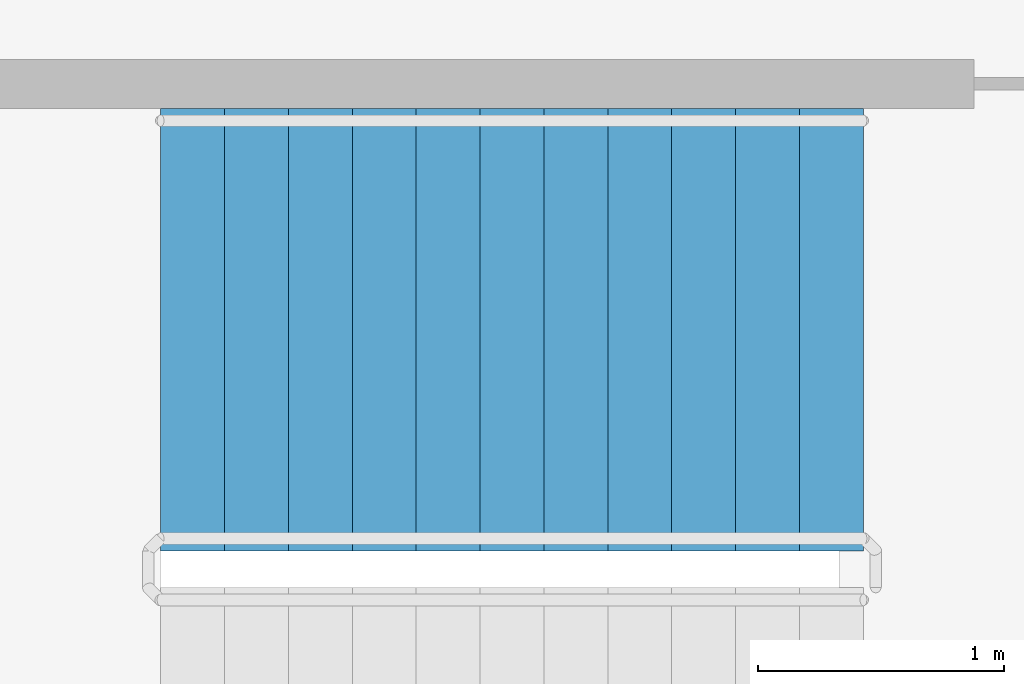
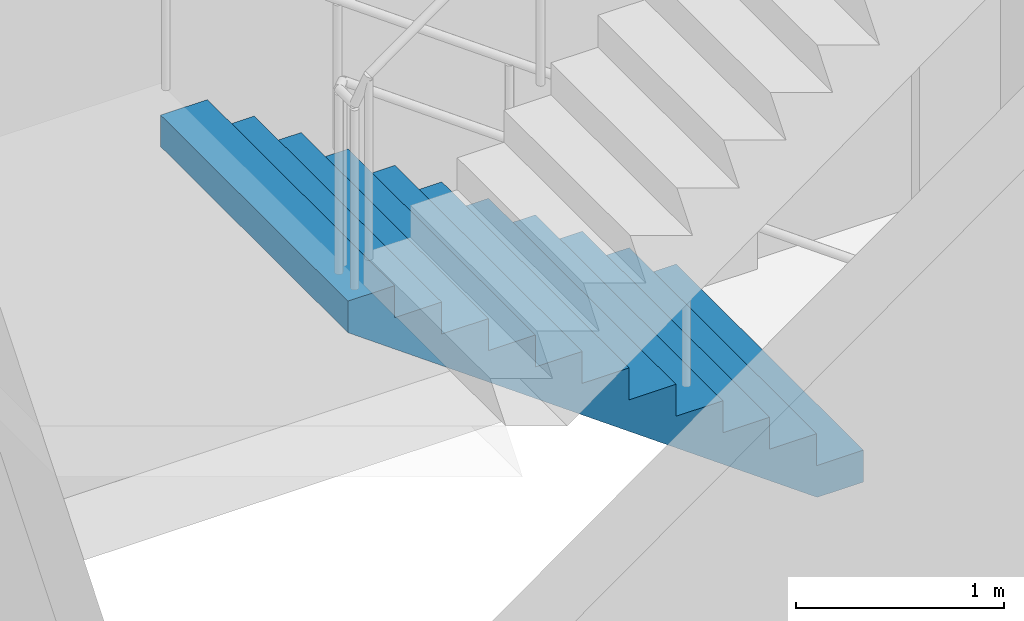
# One storey, part 40 of 49: 1 stair flight, 1 element without a shape of its own.
"""IFC4 building model written with IfcOpenShell, lengths in metres."""

import ifcopenshell
import ifcopenshell.guid

model = None  # the IFC model being written
_history = None  # IfcOwnerHistory: only IFC2X3 demands one
_inside = {}  # id of a spatial element -> (the spatial element, [elements in it])
_under = {}  # id of a project, library or spatial element -> (it, [spatial elements below it])
_declared = {}  # id of a project -> (the project, [libraries it declares])
_typed = {}  # id of a type object -> (the type object, [elements of that type])
_made_of = {}  # id of a material, layer set ... -> (it, [elements and type objects made of it])


def new_model(schema):
    """Start an empty IFC model of exactly this schema.

    Asked for "IFC4X3", IfcOpenShell would pick the latest addendum, in which some entities
    have other attributes; the version numbers below select the first issue.
    IFC2X3 requires an IfcOwnerHistory on every rooted entity: one is made here for all.
    """
    global model, _history
    if schema == "IFC4X3":
        model = ifcopenshell.file(schema_version=(4, 3, 0, 0))
    else:
        model = ifcopenshell.file(schema=schema)
    _inside.clear()
    _under.clear()
    _declared.clear()
    _typed.clear()
    _made_of.clear()
    _history = None
    if model.schema == "IFC2X3":
        org = make("IfcOrganization", Name="unknown")
        user = make(
            "IfcPersonAndOrganization",
            ThePerson=make("IfcPerson", FamilyName="unknown"),
            TheOrganization=org,
        )
        app = make(
            "IfcApplication",
            ApplicationDeveloper=org,
            Version="unknown",
            ApplicationFullName="unknown",
            ApplicationIdentifier="unknown",
        )
        _history = make(
            "IfcOwnerHistory",
            OwningUser=user,
            OwningApplication=app,
            ChangeAction="ADDED",
            CreationDate=0,
        )
    return model


def make(cls, **values):
    """One entity of the class cls with the attributes given. An attribute that is None is left unset."""
    return model.create_entity(
        cls, **{name: value for name, value in values.items() if value is not None}
    )


def rooted(cls, **values):
    """An entity with a GlobalId (a new one), such as an element, a storey or a relation."""
    return make(cls, GlobalId=ifcopenshell.guid.new(), OwnerHistory=_history, **values)


def si_unit(unit_type, name, prefix=None):
    """IfcSIUnit, for example si_unit("LENGTHUNIT", "METRE", prefix="MILLI")."""
    return make("IfcSIUnit", UnitType=unit_type, Prefix=prefix, Name=name)


def assignment(units):
    """IfcUnitAssignment: the units of a project."""
    return None if units is None else make("IfcUnitAssignment", Units=units)


def point(xyz):
    """IfcCartesianPoint."""
    return None if xyz is None else make("IfcCartesianPoint", Coordinates=xyz)


def direction(xyz):
    """IfcDirection."""
    return None if xyz is None else make("IfcDirection", DirectionRatios=xyz)


def frame(location, z_axis=None, x_axis=None):
    """IfcAxis2Placement3D, a coordinate frame: its origin and axes. An axis left out is left unset."""
    return make(
        "IfcAxis2Placement3D",
        Location=point(location),
        Axis=direction(z_axis),
        RefDirection=direction(x_axis),
    )


def origin():
    """The frame at (0, 0, 0) with its axes left unset."""
    return frame((0.0, 0.0, 0.0))


def place(relative_to, where):
    """IfcLocalPlacement: puts the frame where relative to a parent placement (None: the world)."""
    return make(
        "IfcLocalPlacement", PlacementRelTo=relative_to, RelativePlacement=where
    )


def context(
    kind, dimensions, precision=None, world=None, true_north=None, identifier=None
):
    """IfcGeometricRepresentationContext, for example the 3D "Model" context."""
    return make(
        "IfcGeometricRepresentationContext",
        ContextIdentifier=identifier,
        ContextType=kind,
        CoordinateSpaceDimension=dimensions,
        Precision=precision,
        WorldCoordinateSystem=world,
        TrueNorth=true_north,
    )


def subcontext(parent, identifier, kind, view, scale=None):
    """IfcGeometricRepresentationSubContext, for example "Body" below "Model"."""
    return make(
        "IfcGeometricRepresentationSubContext",
        ContextIdentifier=identifier,
        ContextType=kind,
        ParentContext=parent,
        TargetScale=scale,
        TargetView=view,
    )


def project(units=None, contexts=None):
    """IfcProject with its units and contexts."""
    return rooted(
        "IfcProject",
        Name="project",
        RepresentationContexts=contexts,
        UnitsInContext=assignment(units),
    )


def spatial(cls, under=None, at=None, **own):
    """A site, building, storey or space (cls), placed at a placement, below another one or the project."""
    s = rooted(cls, ObjectPlacement=at, **own)
    if under is not None:
        _under.setdefault(under.id(), (under, []))[1].append(s)
    return s


def faces_of(points, faces, orient=None, outer=None):
    """IfcFace entities. A face is a list of loops; a loop is a list of indices into points, from 0.

    orient and outer hold one flag for each loop. By default every Orientation is true, the
    first loop of a face is its IfcFaceOuterBound and the others are IfcFaceBound.
    """
    made = []
    for i, loops in enumerate(faces):
        bounds = []
        for j, loop in enumerate(loops):
            is_outer = j == 0 if outer is None else outer[i][j]
            bounds.append(
                make(
                    "IfcFaceOuterBound" if is_outer else "IfcFaceBound",
                    Bound=make("IfcPolyLoop", Polygon=[points[k] for k in loop]),
                    Orientation=True if orient is None else orient[i][j],
                )
            )
        made.append(make("IfcFace", Bounds=bounds))
    return made


def faceted_brep(points, faces, orient=None, outer=None, voids=None):
    """IfcFacetedBrep: a solid bounded by flat faces; with voids (closed shells), ...WithVoids."""
    shared = [point(p) for p in points]
    hull = make("IfcClosedShell", CfsFaces=faces_of(shared, faces, orient, outer))
    if voids is None:
        return make("IfcFacetedBrep", Outer=hull)
    return make(
        "IfcFacetedBrepWithVoids",
        Outer=hull,
        Voids=[
            make(cls, CfsFaces=faces_of(shared, fs, o, b)) for cls, fs, o, b in voids
        ],
    )


def shape(context_of_items, identifier, shape_type, items):
    """IfcShapeRepresentation: the items that make up one representation, for example the "Body"."""
    return make(
        "IfcShapeRepresentation",
        ContextOfItems=context_of_items,
        RepresentationIdentifier=identifier,
        RepresentationType=shape_type,
        Items=items,
    )


def material(Name=None, Category=None):
    """IfcMaterial."""
    return make("IfcMaterial", Name=Name, Category=Category)


def made_of(thing, what):
    """Note that an element or type object is made of a material, layer set ...; save() writes the relation."""
    if what is not None:
        _made_of.setdefault(what.id(), (what, []))[1].append(thing)
    return thing


def type_object(cls, material=None, **own):
    """A type object (cls), such as IfcWallType, which elements share."""
    return made_of(rooted(cls, **own), material)


def element(
    cls,
    number,
    at=None,
    inside=None,
    cuts=None,
    type_object=None,
    material=None,
    context=None,
    identifier="Body",
    shape_type=None,
    held_by="IfcProductDefinitionShape",
    body=None,
    shapes=None,
    **own,
):
    """One element of the class cls, such as IfcWall. Its Tag is "e" and its number.

    at: its placement. inside: the storey or other place that contains it. cuts: it is an
    opening in that element (IfcRelVoidsElement). A single representation is given by context,
    identifier, shape_type and body (its items); several are given by shapes. held_by: the class
    of the entity that holds the representations. save() writes the other relations.
    """
    e = rooted(cls, Tag="e%d" % number, ObjectPlacement=at, **own)
    if body is not None:
        shapes = [shape(context, identifier, shape_type, body)]
    if shapes is not None:
        e.Representation = make(held_by, Representations=shapes)
    if inside is not None:
        _inside.setdefault(inside.id(), (inside, []))[1].append(e)
    if cuts is not None:
        rooted(
            "IfcRelVoidsElement", RelatingBuildingElement=cuts, RelatedOpeningElement=e
        )
    if type_object is not None:
        _typed.setdefault(type_object.id(), (type_object, []))[1].append(e)
    return made_of(e, material)


def aggregate(whole, parts):
    """IfcRelAggregates: a whole, such as a stair, and the parts it consists of."""
    return rooted("IfcRelAggregates", RelatingObject=whole, RelatedObjects=parts)


def save(model, path):
    """Write the relations noted so far, then the file.

    IfcRelAggregates (storeys below a building ...), IfcRelContainedInSpatialStructure (elements
    in a storey), IfcRelDefinesByType, IfcRelAssociatesMaterial and IfcRelDeclares: one each for
    every whole, place, type object, material and project.
    """
    for whole, parts in _under.values():
        aggregate(whole, parts)
    for where, things in _inside.values():
        rooted(
            "IfcRelContainedInSpatialStructure",
            RelatedElements=things,
            RelatingStructure=where,
        )
    for kind, things in _typed.values():
        rooted("IfcRelDefinesByType", RelatedObjects=things, RelatingType=kind)
    for what, things in _made_of.values():
        rooted("IfcRelAssociatesMaterial", RelatedObjects=things, RelatingMaterial=what)
    for by, libraries in _declared.values():
        rooted("IfcRelDeclares", RelatingContext=by, RelatedDefinitions=libraries)
    model.write(path)


model = new_model("IFC4")

# Units and contexts
model_context = context("Model", 3, precision=1e-05, world=origin(), true_north=direction((0.0, 1.0)))
body_context = subcontext(model_context, "Body", "Model", "MODEL_VIEW")
ifc_project = project(units=[si_unit("LENGTHUNIT", "METRE"), si_unit("AREAUNIT", "SQUARE_METRE"), si_unit("VOLUMEUNIT", "CUBIC_METRE"), si_unit("PLANEANGLEUNIT", "RADIAN"), si_unit("MASSUNIT", "GRAM", prefix="KILO")], contexts=[model_context])

# Site, building, storey
site_placement = place(None, origin())
site = spatial("IfcSite", under=ifc_project, at=site_placement, CompositionType="ELEMENT")
building_placement = place(site_placement, origin())
building = spatial("IfcBuilding", under=site, at=building_placement, Name="Ipe Terrace Towers", CompositionType="ELEMENT")
storey_placement = place(building_placement, frame((0.0, 0.0, 20.0)))
storey = spatial("IfcBuildingStorey", under=building, at=storey_placement, Name="L04", CompositionType="ELEMENT", Elevation=20.0)

# Stair, stair flight
ifc_material_1 = material(Name="Concrete C30/37", Category="concrete")
stair_type = type_object("IfcStairType", Name="Protected exit stair", PredefinedType="HALF_TURN_STAIR", material=ifc_material_1)
stair_placement = place(storey_placement, origin())
stair = element("IfcStair", 1, at=stair_placement, inside=storey, type_object=stair_type, Name="L04 Podium exit stair PS2", PredefinedType="HALF_TURN_STAIR")
ifc_material_2 = material(Name="Concrete C30/37", Category="concrete")
stair_flight_type = type_object("IfcStairFlightType", Name="Exit stair flight 1800", PredefinedType="STRAIGHT", material=ifc_material_2)
stair_flight_placement = place(storey_placement, frame((-0.75, 25.5, 0.0), z_axis=(0.0, 0.0, 1.0), x_axis=(-1.0, 0.0, 0.0)))
stair_flight = element("IfcStairFlight", 2, at=stair_flight_placement, type_object=stair_flight_type, Name="PS2 flight 1", NumberOfRisers=12, NumberOfTreads=11, PredefinedType="STRAIGHT", RiserHeight=0.1875, TreadLength=0.26, context=body_context, shape_type="Brep", body=[
    faceted_brep([(0.25634765625, -0.89990234375, 0.0), (2.860107421875, -0.89990234375, 1.877685546875), (2.860107421875, -0.89990234375, 2.0625), (2.60009765625, -0.89990234375, 2.0625), (2.60009765625, -0.89990234375, 1.875), (2.340087890625, -0.89990234375, 1.875), (2.340087890625, -0.89990234375, 1.6875), (2.080078125, -0.89990234375, 1.6875), (2.080078125, -0.89990234375, 1.5), (1.820068359375, -0.89990234375, 1.5), (1.820068359375, -0.89990234375, 1.3125), (1.56005859375, -0.89990234375, 1.3125), (1.56005859375, -0.89990234375, 1.125), (1.300048828125, -0.89990234375, 1.125), (1.300048828125, -0.89990234375, 0.9375), (1.0400390625, -0.89990234375, 0.9375), (1.0400390625, -0.89990234375, 0.75), (0.780029296875, -0.89990234375, 0.75), (0.780029296875, -0.89990234375, 0.5625), (0.52001953125, -0.89990234375, 0.5625), (0.52001953125, -0.89990234375, 0.375), (0.260009765625, -0.89990234375, 0.375), (0.260009765625, -0.89990234375, 0.1875), (0.0, -0.89990234375, 0.1875), (0.0, -0.89990234375, 0.0), (0.0, 0.89990234375, 0.0), (0.0, 0.89990234375, 0.1875), (0.260009765625, 0.89990234375, 0.1875), (0.260009765625, 0.89990234375, 0.375), (0.52001953125, 0.89990234375, 0.375), (0.52001953125, 0.89990234375, 0.5625), (0.780029296875, 0.89990234375, 0.5625), (0.780029296875, 0.89990234375, 0.75), (1.0400390625, 0.89990234375, 0.75), (1.0400390625, 0.89990234375, 0.9375), (1.300048828125, 0.89990234375, 0.9375), (1.300048828125, 0.89990234375, 1.125), (1.56005859375, 0.89990234375, 1.125), (1.56005859375, 0.89990234375, 1.3125), (1.820068359375, 0.89990234375, 1.3125), (1.820068359375, 0.89990234375, 1.5), (2.080078125, 0.89990234375, 1.5), (2.080078125, 0.89990234375, 1.6875), (2.340087890625, 0.89990234375, 1.6875), (2.340087890625, 0.89990234375, 1.875), (2.60009765625, 0.89990234375, 1.875), (2.60009765625, 0.89990234375, 2.0625), (2.860107421875, 0.89990234375, 2.0625), (2.860107421875, 0.89990234375, 1.877685546875), (0.25634765625, 0.89990234375, 0.0), (0.0, -0.300048828125, 0.1875), (0.0, -0.1201171875, 0.1875), (0.0, -0.06005859375, 0.1875), (0.0, -0.030029296875, 0.1875), (0.0, -0.010009765625, 0.1875), (0.0, 0.0, 0.1875), (0.0, 0.010009765625, 0.1875), (0.0, 0.030029296875, 0.1875), (0.0, 0.06005859375, 0.1875), (0.0, 0.1201171875, 0.1875), (0.0, 0.300048828125, 0.1875), (0.0, 0.300048828125, 0.0), (0.0, 0.1201171875, 0.0), (0.0, 0.06005859375, 0.0), (0.0, 0.030029296875, 0.0), (0.0, 0.010009765625, 0.0), (0.0, 0.0, 0.0), (0.0, -0.010009765625, 0.0), (0.0, -0.030029296875, 0.0), (0.0, -0.06005859375, 0.0), (0.0, -0.1201171875, 0.0), (0.0, -0.300048828125, 0.0), (0.260009765625, -0.300048828125, 0.1875), (0.260009765625, -0.1201171875, 0.1875), (0.260009765625, -0.06005859375, 0.1875), (0.260009765625, -0.030029296875, 0.1875), (0.260009765625, -0.010009765625, 0.1875), (0.260009765625, 0.0, 0.1875), (0.260009765625, 0.010009765625, 0.1875), (0.260009765625, 0.030029296875, 0.1875), (0.260009765625, 0.06005859375, 0.1875), (0.260009765625, 0.1201171875, 0.1875), (0.260009765625, 0.300048828125, 0.1875), (0.260009765625, -0.300048828125, 0.375), (0.260009765625, -0.1201171875, 0.375), (0.260009765625, -0.06005859375, 0.375), (0.260009765625, -0.030029296875, 0.375), (0.260009765625, -0.010009765625, 0.375), (0.260009765625, 0.0, 0.375), (0.260009765625, 0.010009765625, 0.375), (0.260009765625, 0.030029296875, 0.375), (0.260009765625, 0.06005859375, 0.375), (0.260009765625, 0.1201171875, 0.375), (0.260009765625, 0.300048828125, 0.375), (0.52001953125, -0.300048828125, 0.375), (0.52001953125, -0.1201171875, 0.375), (0.52001953125, -0.06005859375, 0.375), (0.52001953125, -0.030029296875, 0.375), (0.52001953125, -0.010009765625, 0.375), (0.52001953125, 0.0, 0.375), (0.52001953125, 0.010009765625, 0.375), (0.52001953125, 0.030029296875, 0.375), (0.52001953125, 0.06005859375, 0.375), (0.52001953125, 0.1201171875, 0.375), (0.52001953125, 0.300048828125, 0.375), (0.52001953125, -0.300048828125, 0.5625), (0.52001953125, -0.1201171875, 0.5625), (0.52001953125, -0.06005859375, 0.5625), (0.52001953125, -0.030029296875, 0.5625), (0.52001953125, -0.010009765625, 0.5625), (0.52001953125, 0.0, 0.5625), (0.52001953125, 0.010009765625, 0.5625), (0.52001953125, 0.030029296875, 0.5625), (0.52001953125, 0.06005859375, 0.5625), (0.52001953125, 0.1201171875, 0.5625), (0.52001953125, 0.300048828125, 0.5625), (0.780029296875, -0.300048828125, 0.5625), (0.780029296875, -0.1201171875, 0.5625), (0.780029296875, -0.06005859375, 0.5625), (0.780029296875, -0.030029296875, 0.5625), (0.780029296875, -0.010009765625, 0.5625), (0.780029296875, 0.0, 0.5625), (0.780029296875, 0.010009765625, 0.5625), (0.780029296875, 0.030029296875, 0.5625), (0.780029296875, 0.06005859375, 0.5625), (0.780029296875, 0.1201171875, 0.5625), (0.780029296875, 0.300048828125, 0.5625), (0.780029296875, -0.300048828125, 0.75), (0.780029296875, -0.1201171875, 0.75), (0.780029296875, -0.06005859375, 0.75), (0.780029296875, -0.030029296875, 0.75), (0.780029296875, -0.010009765625, 0.75), (0.780029296875, 0.0, 0.75), (0.780029296875, 0.010009765625, 0.75), (0.780029296875, 0.030029296875, 0.75), (0.780029296875, 0.06005859375, 0.75), (0.780029296875, 0.1201171875, 0.75), (0.780029296875, 0.300048828125, 0.75), (1.0400390625, -0.300048828125, 0.75), (1.0400390625, -0.1201171875, 0.75), (1.0400390625, -0.06005859375, 0.75), (1.0400390625, -0.030029296875, 0.75), (1.0400390625, -0.010009765625, 0.75), (1.0400390625, 0.0, 0.75), (1.0400390625, 0.010009765625, 0.75), (1.0400390625, 0.030029296875, 0.75), (1.0400390625, 0.06005859375, 0.75), (1.0400390625, 0.1201171875, 0.75), (1.0400390625, 0.300048828125, 0.75), (1.0400390625, -0.300048828125, 0.9375), (1.0400390625, -0.1201171875, 0.9375), (1.0400390625, -0.06005859375, 0.9375), (1.0400390625, -0.030029296875, 0.9375), (1.0400390625, -0.010009765625, 0.9375), (1.0400390625, 0.0, 0.9375), (1.0400390625, 0.010009765625, 0.9375), (1.0400390625, 0.030029296875, 0.9375), (1.0400390625, 0.06005859375, 0.9375), (1.0400390625, 0.1201171875, 0.9375), (1.0400390625, 0.300048828125, 0.9375), (1.300048828125, -0.300048828125, 0.9375), (1.300048828125, -0.1201171875, 0.9375), (1.300048828125, -0.06005859375, 0.9375), (1.300048828125, -0.030029296875, 0.9375), (1.300048828125, -0.010009765625, 0.9375), (1.300048828125, 0.0, 0.9375), (1.300048828125, 0.010009765625, 0.9375), (1.300048828125, 0.030029296875, 0.9375), (1.300048828125, 0.06005859375, 0.9375), (1.300048828125, 0.1201171875, 0.9375), (1.300048828125, 0.300048828125, 0.9375), (1.300048828125, -0.300048828125, 1.125), (1.300048828125, -0.1201171875, 1.125), (1.300048828125, -0.06005859375, 1.125), (1.300048828125, -0.030029296875, 1.125), (1.300048828125, -0.010009765625, 1.125), (1.300048828125, 0.0, 1.125), (1.300048828125, 0.010009765625, 1.125), (1.300048828125, 0.030029296875, 1.125), (1.300048828125, 0.06005859375, 1.125), (1.300048828125, 0.1201171875, 1.125), (1.300048828125, 0.300048828125, 1.125), (1.56005859375, -0.300048828125, 1.125), (1.56005859375, -0.1201171875, 1.125), (1.56005859375, -0.06005859375, 1.125), (1.56005859375, -0.030029296875, 1.125), (1.56005859375, -0.010009765625, 1.125), (1.56005859375, 0.0, 1.125), (1.56005859375, 0.010009765625, 1.125), (1.56005859375, 0.030029296875, 1.125), (1.56005859375, 0.06005859375, 1.125), (1.56005859375, 0.1201171875, 1.125), (1.56005859375, 0.300048828125, 1.125), (1.56005859375, -0.300048828125, 1.3125), (1.56005859375, -0.1201171875, 1.3125), (1.56005859375, -0.06005859375, 1.3125), (1.56005859375, -0.030029296875, 1.3125), (1.56005859375, -0.010009765625, 1.3125), (1.56005859375, 0.0, 1.3125), (1.56005859375, 0.010009765625, 1.3125), (1.56005859375, 0.030029296875, 1.3125), (1.56005859375, 0.06005859375, 1.3125), (1.56005859375, 0.1201171875, 1.3125), (1.56005859375, 0.300048828125, 1.3125), (1.820068359375, -0.300048828125, 1.3125), (1.820068359375, -0.1201171875, 1.3125), (1.820068359375, -0.06005859375, 1.3125), (1.820068359375, -0.030029296875, 1.3125), (1.820068359375, -0.010009765625, 1.3125), (1.820068359375, 0.0, 1.3125), (1.820068359375, 0.010009765625, 1.3125), (1.820068359375, 0.030029296875, 1.3125), (1.820068359375, 0.06005859375, 1.3125), (1.820068359375, 0.1201171875, 1.3125), (1.820068359375, 0.300048828125, 1.3125), (1.820068359375, -0.300048828125, 1.5), (1.820068359375, -0.1201171875, 1.5), (1.820068359375, -0.06005859375, 1.5), (1.820068359375, -0.030029296875, 1.5), (1.820068359375, -0.010009765625, 1.5), (1.820068359375, 0.0, 1.5), (1.820068359375, 0.010009765625, 1.5), (1.820068359375, 0.030029296875, 1.5), (1.820068359375, 0.06005859375, 1.5), (1.820068359375, 0.1201171875, 1.5), (1.820068359375, 0.300048828125, 1.5), (2.080078125, -0.300048828125, 1.5), (2.080078125, -0.1201171875, 1.5), (2.080078125, -0.06005859375, 1.5), (2.080078125, -0.030029296875, 1.5), (2.080078125, -0.010009765625, 1.5), (2.080078125, 0.0, 1.5), (2.080078125, 0.010009765625, 1.5), (2.080078125, 0.030029296875, 1.5), (2.080078125, 0.06005859375, 1.5), (2.080078125, 0.1201171875, 1.5), (2.080078125, 0.300048828125, 1.5), (2.080078125, -0.300048828125, 1.6875), (2.080078125, -0.1201171875, 1.6875), (2.080078125, -0.06005859375, 1.6875), (2.080078125, -0.030029296875, 1.6875), (2.080078125, -0.010009765625, 1.6875), (2.080078125, 0.0, 1.6875), (2.080078125, 0.010009765625, 1.6875), (2.080078125, 0.030029296875, 1.6875), (2.080078125, 0.06005859375, 1.6875), (2.080078125, 0.1201171875, 1.6875), (2.080078125, 0.300048828125, 1.6875), (2.340087890625, -0.300048828125, 1.6875), (2.340087890625, -0.1201171875, 1.6875), (2.340087890625, -0.06005859375, 1.6875), (2.340087890625, -0.030029296875, 1.6875), (2.340087890625, -0.010009765625, 1.6875), (2.340087890625, 0.0, 1.6875), (2.340087890625, 0.010009765625, 1.6875), (2.340087890625, 0.030029296875, 1.6875), (2.340087890625, 0.06005859375, 1.6875), (2.340087890625, 0.1201171875, 1.6875), (2.340087890625, 0.300048828125, 1.6875), (2.340087890625, -0.300048828125, 1.875), (2.340087890625, -0.1201171875, 1.875), (2.340087890625, -0.06005859375, 1.875), (2.340087890625, -0.030029296875, 1.875), (2.340087890625, -0.010009765625, 1.875), (2.340087890625, 0.0, 1.875), (2.340087890625, 0.010009765625, 1.875), (2.340087890625, 0.030029296875, 1.875), (2.340087890625, 0.06005859375, 1.875), (2.340087890625, 0.1201171875, 1.875), (2.340087890625, 0.300048828125, 1.875), (2.60009765625, -0.300048828125, 1.875), (2.60009765625, -0.1201171875, 1.875), (2.60009765625, -0.06005859375, 1.875), (2.60009765625, -0.030029296875, 1.875), (2.60009765625, -0.010009765625, 1.875), (2.60009765625, 0.0, 1.875), (2.60009765625, 0.010009765625, 1.875), (2.60009765625, 0.030029296875, 1.875), (2.60009765625, 0.06005859375, 1.875), (2.60009765625, 0.1201171875, 1.875), (2.60009765625, 0.300048828125, 1.875), (2.60009765625, -0.300048828125, 2.0625), (2.60009765625, -0.1201171875, 2.0625), (2.60009765625, -0.06005859375, 2.0625), (2.60009765625, -0.030029296875, 2.0625), (2.60009765625, -0.010009765625, 2.0625), (2.60009765625, 0.0, 2.0625), (2.60009765625, 0.010009765625, 2.0625), (2.60009765625, 0.030029296875, 2.0625), (2.60009765625, 0.06005859375, 2.0625), (2.60009765625, 0.1201171875, 2.0625), (2.60009765625, 0.300048828125, 2.0625), (2.860107421875, -0.300048828125, 2.0625), (2.860107421875, -0.1201171875, 2.0625), (2.860107421875, -0.06005859375, 2.0625), (2.860107421875, -0.030029296875, 2.0625), (2.860107421875, -0.010009765625, 2.0625), (2.860107421875, 0.0, 2.0625), (2.860107421875, 0.010009765625, 2.0625), (2.860107421875, 0.030029296875, 2.0625), (2.860107421875, 0.06005859375, 2.0625), (2.860107421875, 0.1201171875, 2.0625), (2.860107421875, 0.300048828125, 2.0625), (2.860107421875, -0.300048828125, 1.877685546875), (2.860107421875, -0.1201171875, 1.877685546875), (2.860107421875, -0.06005859375, 1.877685546875), (2.860107421875, -0.030029296875, 1.877685546875), (2.860107421875, -0.010009765625, 1.877685546875), (2.860107421875, 0.0, 1.877685546875), (2.860107421875, 0.010009765625, 1.877685546875), (2.860107421875, 0.030029296875, 1.877685546875), (2.860107421875, 0.06005859375, 1.877685546875), (2.860107421875, 0.1201171875, 1.877685546875), (2.860107421875, 0.300048828125, 1.877685546875), (0.25634765625, -0.300048828125, 0.0), (0.25634765625, -0.1201171875, 0.0), (0.25634765625, -0.06005859375, 0.0), (0.25634765625, -0.030029296875, 0.0), (0.25634765625, -0.010009765625, 0.0), (0.25634765625, 0.0, 0.0), (0.25634765625, 0.010009765625, 0.0), (0.25634765625, 0.030029296875, 0.0), (0.25634765625, 0.06005859375, 0.0), (0.25634765625, 0.1201171875, 0.0), (0.25634765625, 0.300048828125, 0.0)], [[[0, 1, 2, 3, 4, 5, 6, 7, 8, 9, 10, 11, 12, 13, 14, 15, 16, 17, 18, 19, 20, 21, 22, 23, 24]], [[25, 26, 27, 28, 29, 30, 31, 32, 33, 34, 35, 36, 37, 38, 39, 40, 41, 42, 43, 44, 45, 46, 47, 48, 49]], [[23, 50, 51, 52, 53, 54, 55, 56, 57, 58, 59, 60, 26, 25, 61, 62, 63, 64, 65, 66, 67, 68, 69, 70, 71, 24]], [[22, 72, 73, 74, 75, 76, 77, 78, 79, 80, 81, 82, 27, 26, 60, 59, 58, 57, 56, 55, 54, 53, 52, 51, 50, 23]], [[21, 83, 84, 85, 86, 87, 88, 89, 90, 91, 92, 93, 28, 27, 82, 81, 80, 79, 78, 77, 76, 75, 74, 73, 72, 22]], [[20, 94, 95, 96, 97, 98, 99, 100, 101, 102, 103, 104, 29, 28, 93, 92, 91, 90, 89, 88, 87, 86, 85, 84, 83, 21]], [[19, 105, 106, 107, 108, 109, 110, 111, 112, 113, 114, 115, 30, 29, 104, 103, 102, 101, 100, 99, 98, 97, 96, 95, 94, 20]], [[18, 116, 117, 118, 119, 120, 121, 122, 123, 124, 125, 126, 31, 30, 115, 114, 113, 112, 111, 110, 109, 108, 107, 106, 105, 19]], [[17, 127, 128, 129, 130, 131, 132, 133, 134, 135, 136, 137, 32, 31, 126, 125, 124, 123, 122, 121, 120, 119, 118, 117, 116, 18]], [[16, 138, 139, 140, 141, 142, 143, 144, 145, 146, 147, 148, 33, 32, 137, 136, 135, 134, 133, 132, 131, 130, 129, 128, 127, 17]], [[15, 149, 150, 151, 152, 153, 154, 155, 156, 157, 158, 159, 34, 33, 148, 147, 146, 145, 144, 143, 142, 141, 140, 139, 138, 16]], [[14, 160, 161, 162, 163, 164, 165, 166, 167, 168, 169, 170, 35, 34, 159, 158, 157, 156, 155, 154, 153, 152, 151, 150, 149, 15]], [[13, 171, 172, 173, 174, 175, 176, 177, 178, 179, 180, 181, 36, 35, 170, 169, 168, 167, 166, 165, 164, 163, 162, 161, 160, 14]], [[12, 182, 183, 184, 185, 186, 187, 188, 189, 190, 191, 192, 37, 36, 181, 180, 179, 178, 177, 176, 175, 174, 173, 172, 171, 13]], [[11, 193, 194, 195, 196, 197, 198, 199, 200, 201, 202, 203, 38, 37, 192, 191, 190, 189, 188, 187, 186, 185, 184, 183, 182, 12]], [[10, 204, 205, 206, 207, 208, 209, 210, 211, 212, 213, 214, 39, 38, 203, 202, 201, 200, 199, 198, 197, 196, 195, 194, 193, 11]], [[9, 215, 216, 217, 218, 219, 220, 221, 222, 223, 224, 225, 40, 39, 214, 213, 212, 211, 210, 209, 208, 207, 206, 205, 204, 10]], [[8, 226, 227, 228, 229, 230, 231, 232, 233, 234, 235, 236, 41, 40, 225, 224, 223, 222, 221, 220, 219, 218, 217, 216, 215, 9]], [[7, 237, 238, 239, 240, 241, 242, 243, 244, 245, 246, 247, 42, 41, 236, 235, 234, 233, 232, 231, 230, 229, 228, 227, 226, 8]], [[6, 248, 249, 250, 251, 252, 253, 254, 255, 256, 257, 258, 43, 42, 247, 246, 245, 244, 243, 242, 241, 240, 239, 238, 237, 7]], [[5, 259, 260, 261, 262, 263, 264, 265, 266, 267, 268, 269, 44, 43, 258, 257, 256, 255, 254, 253, 252, 251, 250, 249, 248, 6]], [[4, 270, 271, 272, 273, 274, 275, 276, 277, 278, 279, 280, 45, 44, 269, 268, 267, 266, 265, 264, 263, 262, 261, 260, 259, 5]], [[3, 281, 282, 283, 284, 285, 286, 287, 288, 289, 290, 291, 46, 45, 280, 279, 278, 277, 276, 275, 274, 273, 272, 271, 270, 4]], [[2, 292, 293, 294, 295, 296, 297, 298, 299, 300, 301, 302, 47, 46, 291, 290, 289, 288, 287, 286, 285, 284, 283, 282, 281, 3]], [[1, 303, 304, 305, 306, 307, 308, 309, 310, 311, 312, 313, 48, 47, 302, 301, 300, 299, 298, 297, 296, 295, 294, 293, 292, 2]], [[0, 314, 315, 316, 317, 318, 319, 320, 321, 322, 323, 324, 49, 48, 313, 312, 311, 310, 309, 308, 307, 306, 305, 304, 303, 1]], [[24, 71, 70, 69, 68, 67, 66, 65, 64, 63, 62, 61, 25, 49, 324, 323, 322, 321, 320, 319, 318, 317, 316, 315, 314, 0]]]),
])
aggregate(stair, [stair_flight])

save(model, "model.ifc")
